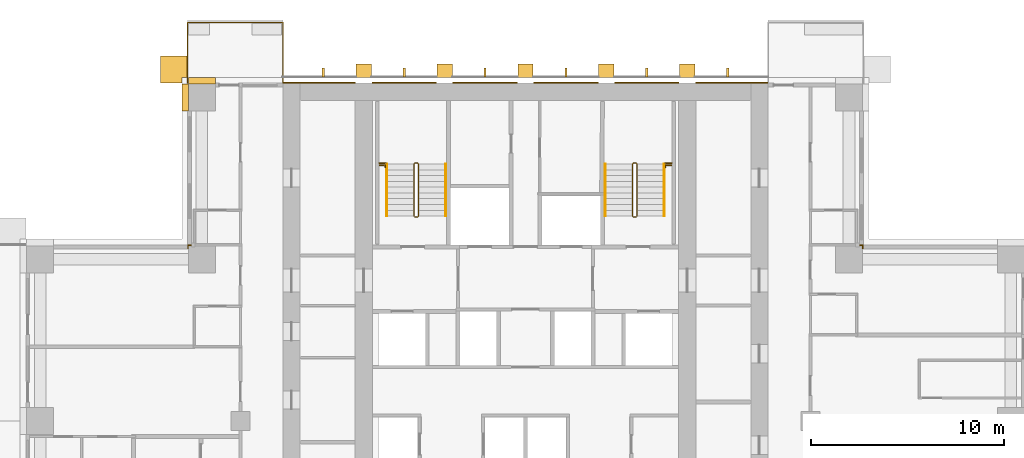
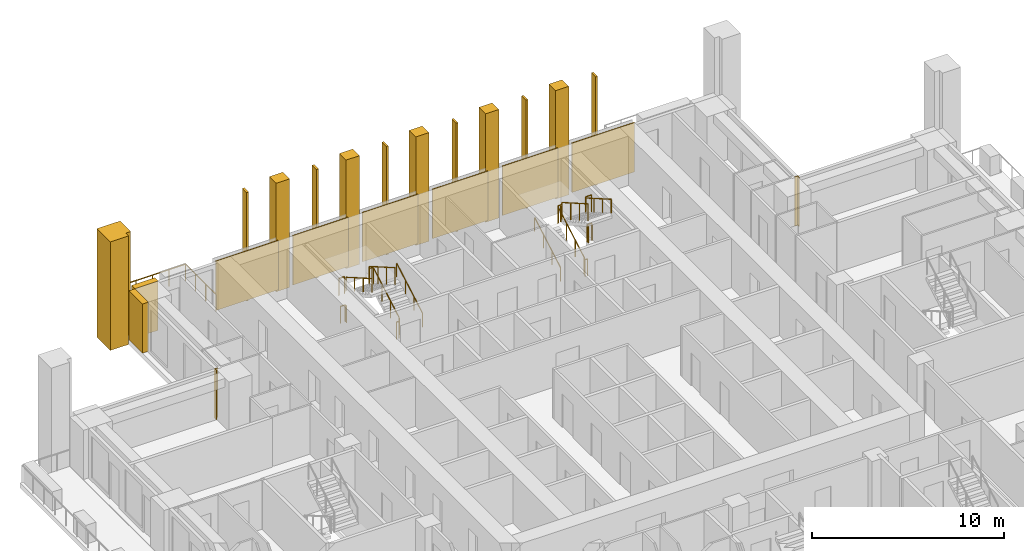
# One storey, part 17 of 18: 22 coverings, 11 railings.
"""IFC4 building model written with IfcOpenShell, lengths in metres."""

from ifc_helpers import new_model, si_unit, direction, frame, origin, origin_2d, place, context, subcontext, project, spatial, polyline, rectangle, outline, extrude, material, layer, layer_set, type_object, element, save


model = new_model("IFC4")

# Units and contexts
model_context = context("Model", 3, precision=1e-05, world=origin(), true_north=direction((0.0, 1.0)))
body_context = subcontext(model_context, "Body", "Model", "MODEL_VIEW")
ifc_project = project(units=[si_unit("LENGTHUNIT", "METRE"), si_unit("AREAUNIT", "SQUARE_METRE"), si_unit("VOLUMEUNIT", "CUBIC_METRE"), si_unit("PLANEANGLEUNIT", "RADIAN"), si_unit("MASSUNIT", "GRAM", prefix="KILO")], contexts=[model_context])

# Site, building, storey
site_placement = place(None, origin())
site = spatial("IfcSite", under=ifc_project, at=site_placement, CompositionType="ELEMENT")
building_placement = place(site_placement, origin())
building = spatial("IfcBuilding", under=site, at=building_placement, Name="Vermilion Ogive Tower", CompositionType="ELEMENT")
storey_placement = place(building_placement, frame((0.0, 0.0, 55.199951171875)))
storey = spatial("IfcBuildingStorey", under=building, at=storey_placement, Name="L12", CompositionType="ELEMENT", Elevation=55.199951171875)

# Railing
ifc_material_1 = material(Name="Stainless steel and glass", Category="steel")
railing_type_1 = type_object("IfcRailingType", Name="Balcony guard", PredefinedType="GUARDRAIL", material=ifc_material_1)
railing_1_placement = place(storey_placement, frame((-12.60009765625, 21.75, -0.0400390625)))
element("IfcRailing", 1, at=railing_1_placement, inside=storey, type_object=railing_type_1, Name="Guard N201", PredefinedType="GUARDRAIL", context=body_context, shape_type="SweptSolid", body=[
    extrude(rectangle(XDim=0.048095703125, YDim=0.048095703125, at=origin_2d()), frame((0.0, 0.0, 1.076171875), z_axis=(0.0, 1.0, 0.0), x_axis=(-1.0, 0.0, 0.0)), (0.0, 0.0, 1.0), 3.159912109375),
    extrude(rectangle(XDim=0.048095703125, YDim=0.048095703125, at=origin_2d()), frame((0.0, 3.159912109375, 1.076171875), z_axis=(-1.0, 0.0, 0.0), x_axis=(0.0, -1.0, 0.0)), (0.0, 0.0, 1.0), 4.949951171875),
    extrude(rectangle(XDim=0.048095703125, YDim=0.048095703125, at=origin_2d()), frame((-4.949951171875, 3.159912109375, 1.076171875), z_axis=(0.0, -1.0, 0.0), x_axis=(1.0, 0.0, 0.0)), (0.0, 0.0, 1.0), 3.159912109375),
    extrude(rectangle(XDim=0.0419921875, YDim=0.0419921875, at=origin_2d()), origin(), (0.0, 0.0, 1.0), 1.052001953125),
    extrude(rectangle(XDim=0.0419921875, YDim=0.0419921875, at=origin_2d()), frame((0.0, 1.05322265625, 0.0)), (0.0, 0.0, 1.0), 1.052001953125),
    extrude(rectangle(XDim=0.0419921875, YDim=0.0419921875, at=origin_2d()), frame((0.0, 2.106689453125, 0.0)), (0.0, 0.0, 1.0), 1.052001953125),
    extrude(rectangle(XDim=0.0419921875, YDim=0.0419921875, at=origin_2d()), frame((0.0, 3.159912109375, 0.0)), (0.0, 0.0, 1.0), 1.052001953125),
    extrude(rectangle(XDim=0.0419921875, YDim=0.0419921875, at=origin_2d()), frame((-0.989990234375, 3.159912109375, 0.0)), (0.0, 0.0, 1.0), 1.052001953125),
    extrude(rectangle(XDim=0.0419921875, YDim=0.0419921875, at=origin_2d()), frame((-1.97998046875, 3.159912109375, 0.0)), (0.0, 0.0, 1.0), 1.052001953125),
    extrude(rectangle(XDim=0.0419921875, YDim=0.0419921875, at=origin_2d()), frame((-2.969970703125, 3.159912109375, 0.0)), (0.0, 0.0, 1.0), 1.052001953125),
    extrude(rectangle(XDim=0.0419921875, YDim=0.0419921875, at=origin_2d()), frame((-3.9599609375, 3.159912109375, 0.0)), (0.0, 0.0, 1.0), 1.052001953125),
    extrude(rectangle(XDim=0.0419921875, YDim=0.0419921875, at=origin_2d()), frame((-4.949951171875, 3.159912109375, 0.0)), (0.0, 0.0, 1.0), 1.052001953125),
    extrude(rectangle(XDim=0.0419921875, YDim=0.0419921875, at=origin_2d()), frame((-4.949951171875, 2.106689453125, 0.0)), (0.0, 0.0, 1.0), 1.052001953125),
    extrude(rectangle(XDim=0.0419921875, YDim=0.0419921875, at=origin_2d()), frame((-4.949951171875, 1.05322265625, 0.0)), (0.0, 0.0, 1.0), 1.052001953125),
    extrude(rectangle(XDim=0.0419921875, YDim=0.0419921875, at=origin_2d()), frame((-4.949951171875, 0.0, 0.0)), (0.0, 0.0, 1.0), 1.052001953125),
])

# Coverings
ifc_material_2 = material(Name="Glazed ceramic screen")
ifc_layer = layer(ifc_material_2, 0.14990234375)
ifc_layer_set = layer_set([ifc_layer], Name="Ceramic solar screen fin")
covering_type_1 = type_object("IfcCoveringType", Name="Ceramic solar screen fin", PredefinedType="CLADDING", material=ifc_layer_set)
covering_1_placement = place(storey_placement, frame((0.0, 0.0, -0.320068359375)))
element("IfcCovering", 2, at=covering_1_placement, inside=storey, type_object=covering_type_1, Name="Solar screen blade N1", PredefinedType="CLADDING", context=body_context, shape_type="SweptSolid", body=[
    extrude(outline(polyline([(-10.56005859375, 22.08203125), (-10.43994140625, 22.08203125), (-10.43994140625, 22.531982421875), (-10.56005859375, 22.531982421875), (-10.56005859375, 22.08203125)])), origin(), (0.0, 0.0, 1.0), 6.900146484375),
])
covering_2_placement = place(storey_placement, frame((0.0, 0.0, -0.320068359375)))
element("IfcCovering", 3, at=covering_2_placement, inside=storey, type_object=covering_type_1, Name="Solar screen blade N2", PredefinedType="CLADDING", context=body_context, shape_type="SweptSolid", body=[
    extrude(outline(polyline([(-6.360107421875, 22.08203125), (-6.239990234375, 22.08203125), (-6.239990234375, 22.531982421875), (-6.360107421875, 22.531982421875), (-6.360107421875, 22.08203125)])), origin(), (0.0, 0.0, 1.0), 6.900146484375),
])
covering_3_placement = place(storey_placement, frame((0.0, 0.0, -0.320068359375)))
element("IfcCovering", 4, at=covering_3_placement, inside=storey, type_object=covering_type_1, Name="Solar screen blade N3", PredefinedType="CLADDING", context=body_context, shape_type="SweptSolid", body=[
    extrude(outline(polyline([(-2.159912109375, 22.08203125), (-2.0400390625, 22.08203125), (-2.0400390625, 22.531982421875), (-2.159912109375, 22.531982421875), (-2.159912109375, 22.08203125)])), origin(), (0.0, 0.0, 1.0), 6.900146484375),
])
covering_4_placement = place(storey_placement, frame((0.0, 0.0, -0.320068359375)))
element("IfcCovering", 5, at=covering_4_placement, inside=storey, type_object=covering_type_1, Name="Solar screen blade N4", PredefinedType="CLADDING", context=body_context, shape_type="SweptSolid", body=[
    extrude(outline(polyline([(2.0400390625, 22.08203125), (2.159912109375, 22.08203125), (2.159912109375, 22.531982421875), (2.0400390625, 22.531982421875), (2.0400390625, 22.08203125)])), origin(), (0.0, 0.0, 1.0), 6.900146484375),
])
covering_5_placement = place(storey_placement, frame((0.0, 0.0, -0.320068359375)))
element("IfcCovering", 6, at=covering_5_placement, inside=storey, type_object=covering_type_1, Name="Solar screen blade N5", PredefinedType="CLADDING", context=body_context, shape_type="SweptSolid", body=[
    extrude(outline(polyline([(6.239990234375, 22.08203125), (6.360107421875, 22.08203125), (6.360107421875, 22.531982421875), (6.239990234375, 22.531982421875), (6.239990234375, 22.08203125)])), origin(), (0.0, 0.0, 1.0), 6.900146484375),
])
covering_6_placement = place(storey_placement, frame((0.0, 0.0, -0.320068359375)))
element("IfcCovering", 7, at=covering_6_placement, inside=storey, type_object=covering_type_1, Name="Solar screen blade N6", PredefinedType="CLADDING", context=body_context, shape_type="SweptSolid", body=[
    extrude(outline(polyline([(10.43994140625, 22.08203125), (10.56005859375, 22.08203125), (10.56005859375, 22.531982421875), (10.43994140625, 22.531982421875), (10.43994140625, 22.08203125)])), origin(), (0.0, 0.0, 1.0), 6.900146484375),
])

# Railings
ifc_material_3 = material(Name="Steel S355 painted", Category="steel")
railing_type_2 = type_object("IfcRailingType", Name="Stair guard 1100", PredefinedType="GUARDRAIL", material=ifc_material_3)
railing_2_placement = place(storey_placement, frame((-5.75, 14.800048828125, 0.0)))
element("IfcRailing", 8, at=railing_2_placement, inside=storey, type_object=railing_type_2, Name="L12 ST1 stair guard 4", PredefinedType="GUARDRAIL", context=body_context, shape_type="SweptSolid", body=[
    extrude(rectangle(XDim=0.048095703125, YDim=0.048095703125, at=origin_2d()), frame((0.0, 0.0, 1.076171875), z_axis=(1.0, 0.0, 0.0), x_axis=(0.0, 1.0, 0.0)), (0.0, 0.0, 1.0), 0.14990234375),
    extrude(rectangle(XDim=0.048095703125, YDim=0.048095703125, at=origin_2d()), frame((0.14990234375, 0.0, 1.076171875), z_axis=(0.268277960024, 0.268277960024, 0.925231793839), x_axis=(-0.707106781187, 0.707106781187, 0.0)), (0.0, 0.0, 1.0), 0.1865234375),
    extrude(rectangle(XDim=0.048095703125, YDim=0.048095703125, at=origin_2d()), frame((0.199951171875, 0.050048828125, 1.24853515625), z_axis=(0.0, 0.866903762492, 0.498475542607), x_axis=(-1.0, 0.0, 0.0)), (0.0, 0.0, 1.0), 3.114501953125),
    extrude(rectangle(XDim=0.048095703125, YDim=0.048095703125, at=origin_2d()), frame((0.199951171875, 2.75, 2.80126953125), z_axis=(-0.707106781187, 0.707106781187, 0.0), x_axis=(-0.707106781187, -0.707106781187, 0.0)), (0.0, 0.0, 1.0), 0.07080078125),
    extrude(rectangle(XDim=0.048095703125, YDim=0.048095703125, at=origin_2d()), frame((0.14990234375, 2.800048828125, 2.80126953125), z_axis=(-1.0, 0.0, 0.0), x_axis=(0.0, -1.0, 0.0)), (0.0, 0.0, 1.0), 0.14990234375),
    extrude(rectangle(XDim=0.048095703125, YDim=0.048095703125, at=origin_2d()), frame((0.0, 2.800048828125, 2.80126953125), z_axis=(-0.268603158521, -0.268603158521, 0.925043072762), x_axis=(0.707106781187, -0.707106781187, 0.0)), (0.0, 0.0, 1.0), 0.186279296875),
    extrude(rectangle(XDim=0.048095703125, YDim=0.048095703125, at=origin_2d()), frame((-0.050048828125, 2.75, 2.9736328125), z_axis=(0.0, -0.866903762492, 0.498475542607), x_axis=(1.0, 0.0, 0.0)), (0.0, 0.0, 1.0), 3.114501953125),
    extrude(rectangle(XDim=0.0419921875, YDim=0.0419921875, at=origin_2d()), origin(), (0.0, 0.0, 1.0), 1.052001953125),
    extrude(rectangle(XDim=0.0419921875, YDim=0.0419921875, at=origin_2d()), frame((0.14990234375, 0.0, 0.0)), (0.0, 0.0, 1.0), 1.052001953125),
    extrude(rectangle(XDim=0.0419921875, YDim=0.0419921875, at=origin_2d()), frame((0.199951171875, 0.050048828125, 0.172607421875)), (0.0, 0.0, 1.0), 1.052001953125),
    extrude(rectangle(XDim=0.0419921875, YDim=0.0419921875, at=origin_2d()), frame((0.199951171875, 0.949951171875, 0.690185546875)), (0.0, 0.0, 1.0), 1.052001953125),
    extrude(rectangle(XDim=0.0419921875, YDim=0.0419921875, at=origin_2d()), frame((0.199951171875, 1.85009765625, 1.20751953125)), (0.0, 0.0, 1.0), 1.052001953125),
    extrude(rectangle(XDim=0.0419921875, YDim=0.0419921875, at=origin_2d()), frame((0.199951171875, 2.75, 1.72509765625)), (0.0, 0.0, 1.0), 1.052001953125),
    extrude(rectangle(XDim=0.0419921875, YDim=0.0419921875, at=origin_2d()), frame((0.14990234375, 2.800048828125, 1.72509765625)), (0.0, 0.0, 1.0), 1.052001953125),
    extrude(rectangle(XDim=0.0419921875, YDim=0.0419921875, at=origin_2d()), frame((0.0, 2.800048828125, 1.72509765625)), (0.0, 0.0, 1.0), 1.052001953125),
    extrude(rectangle(XDim=0.0419921875, YDim=0.0419921875, at=origin_2d()), frame((-0.050048828125, 2.75, 1.8974609375)), (0.0, 0.0, 1.0), 1.052001953125),
    extrude(rectangle(XDim=0.0419921875, YDim=0.0419921875, at=origin_2d()), frame((-0.050048828125, 1.85009765625, 2.4150390625)), (0.0, 0.0, 1.0), 1.052001953125),
    extrude(rectangle(XDim=0.0419921875, YDim=0.0419921875, at=origin_2d()), frame((-0.050048828125, 0.949951171875, 2.932373046875)), (0.0, 0.0, 1.0), 1.052001953125),
    extrude(rectangle(XDim=0.0419921875, YDim=0.0419921875, at=origin_2d()), frame((-0.050048828125, 0.050048828125, 3.449951171875)), (0.0, 0.0, 1.0), 1.052001953125),
])
railing_3_placement = place(storey_placement, frame((5.75, 14.800048828125, 0.0)))
element("IfcRailing", 9, at=railing_3_placement, inside=storey, type_object=railing_type_2, Name="L12 ST2 stair guard 4", PredefinedType="GUARDRAIL", context=body_context, shape_type="SweptSolid", body=[
    extrude(rectangle(XDim=0.048095703125, YDim=0.048095703125, at=origin_2d()), frame((0.0, 0.0, 1.076171875), z_axis=(-1.0, 0.0, 0.0), x_axis=(0.0, -1.0, 0.0)), (0.0, 0.0, 1.0), 0.14990234375),
    extrude(rectangle(XDim=0.048095703125, YDim=0.048095703125, at=origin_2d()), frame((-0.14990234375, 0.0, 1.076171875), z_axis=(-0.268277960024, 0.268277960024, 0.925231793839), x_axis=(-0.707106781187, -0.707106781187, 0.0)), (0.0, 0.0, 1.0), 0.1865234375),
    extrude(rectangle(XDim=0.048095703125, YDim=0.048095703125, at=origin_2d()), frame((-0.199951171875, 0.050048828125, 1.24853515625), z_axis=(0.0, 0.866903762492, 0.498475542607), x_axis=(-1.0, 0.0, 0.0)), (0.0, 0.0, 1.0), 3.114501953125),
    extrude(rectangle(XDim=0.048095703125, YDim=0.048095703125, at=origin_2d()), frame((-0.199951171875, 2.75, 2.80126953125), z_axis=(0.707106781187, 0.707106781187, 0.0), x_axis=(-0.707106781187, 0.707106781187, 0.0)), (0.0, 0.0, 1.0), 0.07080078125),
    extrude(rectangle(XDim=0.048095703125, YDim=0.048095703125, at=origin_2d()), frame((-0.14990234375, 2.800048828125, 2.80126953125), z_axis=(1.0, 0.0, 0.0), x_axis=(0.0, 1.0, 0.0)), (0.0, 0.0, 1.0), 0.14990234375),
    extrude(rectangle(XDim=0.048095703125, YDim=0.048095703125, at=origin_2d()), frame((0.0, 2.800048828125, 2.80126953125), z_axis=(0.268603158521, -0.268603158521, 0.925043072762), x_axis=(0.707106781187, 0.707106781187, 0.0)), (0.0, 0.0, 1.0), 0.186279296875),
    extrude(rectangle(XDim=0.048095703125, YDim=0.048095703125, at=origin_2d()), frame((0.050048828125, 2.75, 2.9736328125), z_axis=(0.0, -0.866903762492, 0.498475542607), x_axis=(1.0, 0.0, 0.0)), (0.0, 0.0, 1.0), 3.114501953125),
    extrude(rectangle(XDim=0.0419921875, YDim=0.0419921875, at=origin_2d()), origin(), (0.0, 0.0, 1.0), 1.052001953125),
    extrude(rectangle(XDim=0.0419921875, YDim=0.0419921875, at=origin_2d()), frame((-0.14990234375, 0.0, 0.0)), (0.0, 0.0, 1.0), 1.052001953125),
    extrude(rectangle(XDim=0.0419921875, YDim=0.0419921875, at=origin_2d()), frame((-0.199951171875, 0.050048828125, 0.172607421875)), (0.0, 0.0, 1.0), 1.052001953125),
    extrude(rectangle(XDim=0.0419921875, YDim=0.0419921875, at=origin_2d()), frame((-0.199951171875, 0.949951171875, 0.690185546875)), (0.0, 0.0, 1.0), 1.052001953125),
    extrude(rectangle(XDim=0.0419921875, YDim=0.0419921875, at=origin_2d()), frame((-0.199951171875, 1.85009765625, 1.20751953125)), (0.0, 0.0, 1.0), 1.052001953125),
    extrude(rectangle(XDim=0.0419921875, YDim=0.0419921875, at=origin_2d()), frame((-0.199951171875, 2.75, 1.72509765625)), (0.0, 0.0, 1.0), 1.052001953125),
    extrude(rectangle(XDim=0.0419921875, YDim=0.0419921875, at=origin_2d()), frame((-0.14990234375, 2.800048828125, 1.72509765625)), (0.0, 0.0, 1.0), 1.052001953125),
    extrude(rectangle(XDim=0.0419921875, YDim=0.0419921875, at=origin_2d()), frame((0.0, 2.800048828125, 1.72509765625)), (0.0, 0.0, 1.0), 1.052001953125),
    extrude(rectangle(XDim=0.0419921875, YDim=0.0419921875, at=origin_2d()), frame((0.050048828125, 2.75, 1.8974609375)), (0.0, 0.0, 1.0), 1.052001953125),
    extrude(rectangle(XDim=0.0419921875, YDim=0.0419921875, at=origin_2d()), frame((0.050048828125, 1.85009765625, 2.4150390625)), (0.0, 0.0, 1.0), 1.052001953125),
    extrude(rectangle(XDim=0.0419921875, YDim=0.0419921875, at=origin_2d()), frame((0.050048828125, 0.949951171875, 2.932373046875)), (0.0, 0.0, 1.0), 1.052001953125),
    extrude(rectangle(XDim=0.0419921875, YDim=0.0419921875, at=origin_2d()), frame((0.050048828125, 0.050048828125, 3.449951171875)), (0.0, 0.0, 1.0), 1.052001953125),
])
for number, where, name in (
    (10, (-7.60009765625, 17.60009765625, 1.72509765625), "L12 landing guard"),
    (11, (7.25, 17.60009765625, 1.72509765625), "L12 landing guard"),
):
    element("IfcRailing", number, at=place(storey_placement, frame(where)), inside=storey, type_object=railing_type_2, Name=name, PredefinedType="GUARDRAIL", context=body_context, shape_type="SweptSolid", body=[
        extrude(rectangle(XDim=0.048095703125, YDim=0.048095703125, at=origin_2d()), frame((0.0, 0.0, 1.076171875), z_axis=(1.0, 0.0, 0.0), x_axis=(0.0, 1.0, 0.0)), (0.0, 0.0, 1.0), 0.35009765625),
        extrude(rectangle(XDim=0.0419921875, YDim=0.0419921875, at=origin_2d()), origin(), (0.0, 0.0, 1.0), 1.052001953125),
        extrude(rectangle(XDim=0.0419921875, YDim=0.0419921875, at=origin_2d()), frame((0.35009765625, 0.0, 0.0)), (0.0, 0.0, 1.0), 1.052001953125),
    ])
railing_4_placement = place(storey_placement, frame((-7.56298828125, 17.49462890625, 0.0)))
element("IfcRailing", 12, at=railing_4_placement, inside=storey, type_object=railing_type_2, Name="L12 stair opening guard", PredefinedType="GUARDRAIL", context=body_context, shape_type="SweptSolid", body=[
    extrude(rectangle(XDim=0.048095703125, YDim=0.048095703125, at=origin_2d()), frame((0.0, 0.0, 1.076171875), z_axis=(1.0, 0.0, 0.0), x_axis=(0.0, 1.0, 0.0)), (0.0, 0.0, 1.0), 0.2900390625),
    extrude(rectangle(XDim=0.048095703125, YDim=0.048095703125, at=origin_2d()), frame((0.2900390625, 0.0, 1.076171875), z_axis=(0.0, -1.0, 0.0), x_axis=(1.0, 0.0, 0.0)), (0.0, 0.0, 1.0), 0.1201171875),
    extrude(rectangle(XDim=0.0419921875, YDim=0.0419921875, at=origin_2d()), origin(), (0.0, 0.0, 1.0), 1.052001953125),
    extrude(rectangle(XDim=0.0419921875, YDim=0.0419921875, at=origin_2d()), frame((0.2900390625, 0.0, 0.0)), (0.0, 0.0, 1.0), 1.052001953125),
    extrude(rectangle(XDim=0.0419921875, YDim=0.0419921875, at=origin_2d()), frame((0.2900390625, -0.1201171875, 0.0)), (0.0, 0.0, 1.0), 1.052001953125),
])
railing_5_placement = place(storey_placement, frame((7.27294921875, 17.37451171875, 0.0)))
element("IfcRailing", 13, at=railing_5_placement, inside=storey, type_object=railing_type_2, Name="L12 stair opening guard", PredefinedType="GUARDRAIL", context=body_context, shape_type="SweptSolid", body=[
    extrude(rectangle(XDim=0.048095703125, YDim=0.048095703125, at=origin_2d()), frame((0.0, 0.0, 1.076171875), z_axis=(0.0, 1.0, 0.0), x_axis=(-1.0, 0.0, 0.0)), (0.0, 0.0, 1.0), 0.1201171875),
    extrude(rectangle(XDim=0.048095703125, YDim=0.048095703125, at=origin_2d()), frame((0.0, 0.1201171875, 1.076171875), z_axis=(1.0, 0.0, 0.0), x_axis=(0.0, 1.0, 0.0)), (0.0, 0.0, 1.0), 0.2900390625),
    extrude(rectangle(XDim=0.0419921875, YDim=0.0419921875, at=origin_2d()), origin(), (0.0, 0.0, 1.0), 1.052001953125),
    extrude(rectangle(XDim=0.0419921875, YDim=0.0419921875, at=origin_2d()), frame((0.0, 0.1201171875, 0.0)), (0.0, 0.0, 1.0), 1.052001953125),
    extrude(rectangle(XDim=0.0419921875, YDim=0.0419921875, at=origin_2d()), frame((0.2900390625, 0.1201171875, 0.0)), (0.0, 0.0, 1.0), 1.052001953125),
])
ifc_material_4 = material(Name="Stainless steel", Category="steel")
railing_type_3 = type_object("IfcRailingType", Name="Stair handrail 900", PredefinedType="HANDRAIL", material=ifc_material_4)
railing_6_placement = place(storey_placement, frame((-4.14990234375, 14.85009765625, 0.172607421875)))
element("IfcRailing", 14, at=railing_6_placement, inside=storey, type_object=railing_type_3, Name="L12 ST1 stair handrail 1", PredefinedType="HANDRAIL", context=body_context, shape_type="SweptSolid", body=[
    extrude(rectangle(XDim=0.048095703125, YDim=0.048095703125, at=origin_2d()), frame((0.0, 0.0, 0.8759765625), z_axis=(0.0, 0.866903762492, 0.498475542607), x_axis=(-1.0, 0.0, 0.0)), (0.0, 0.0, 1.0), 3.114501953125),
    extrude(rectangle(XDim=0.0419921875, YDim=0.0419921875, at=origin_2d()), origin(), (0.0, 0.0, 1.0), 0.851806640625),
    extrude(rectangle(XDim=0.0419921875, YDim=0.0419921875, at=origin_2d()), frame((0.0, 0.89990234375, 0.517578125)), (0.0, 0.0, 1.0), 0.851806640625),
    extrude(rectangle(XDim=0.0419921875, YDim=0.0419921875, at=origin_2d()), frame((0.0, 1.800048828125, 1.034912109375)), (0.0, 0.0, 1.0), 0.851806640625),
    extrude(rectangle(XDim=0.0419921875, YDim=0.0419921875, at=origin_2d()), frame((0.0, 2.699951171875, 1.552490234375)), (0.0, 0.0, 1.0), 0.851806640625),
])
railing_7_placement = place(storey_placement, frame((-7.199951171875, 17.550048828125, 1.8974609375)))
element("IfcRailing", 15, at=railing_7_placement, inside=storey, type_object=railing_type_3, Name="L12 ST1 stair handrail 2", PredefinedType="HANDRAIL", context=body_context, shape_type="SweptSolid", body=[
    extrude(rectangle(XDim=0.048095703125, YDim=0.048095703125, at=origin_2d()), frame((0.0, 0.0, 0.8759765625), z_axis=(0.0, -0.866903762492, 0.498475542607), x_axis=(1.0, 0.0, 0.0)), (0.0, 0.0, 1.0), 3.114501953125),
    extrude(rectangle(XDim=0.0419921875, YDim=0.0419921875, at=origin_2d()), origin(), (0.0, 0.0, 1.0), 0.851806640625),
    extrude(rectangle(XDim=0.0419921875, YDim=0.0419921875, at=origin_2d()), frame((0.0, -0.89990234375, 0.517578125)), (0.0, 0.0, 1.0), 0.851806640625),
    extrude(rectangle(XDim=0.0419921875, YDim=0.0419921875, at=origin_2d()), frame((0.0, -1.800048828125, 1.034912109375)), (0.0, 0.0, 1.0), 0.851806640625),
    extrude(rectangle(XDim=0.0419921875, YDim=0.0419921875, at=origin_2d()), frame((0.0, -2.699951171875, 1.552490234375)), (0.0, 0.0, 1.0), 0.851806640625),
])
railing_8_placement = place(storey_placement, frame((4.14990234375, 14.85009765625, 0.172607421875)))
element("IfcRailing", 16, at=railing_8_placement, inside=storey, type_object=railing_type_3, Name="L12 ST2 stair handrail 1", PredefinedType="HANDRAIL", context=body_context, shape_type="SweptSolid", body=[
    extrude(rectangle(XDim=0.048095703125, YDim=0.048095703125, at=origin_2d()), frame((0.0, 0.0, 0.8759765625), z_axis=(0.0, 0.866903762492, 0.498475542607), x_axis=(-1.0, 0.0, 0.0)), (0.0, 0.0, 1.0), 3.114501953125),
    extrude(rectangle(XDim=0.0419921875, YDim=0.0419921875, at=origin_2d()), origin(), (0.0, 0.0, 1.0), 0.851806640625),
    extrude(rectangle(XDim=0.0419921875, YDim=0.0419921875, at=origin_2d()), frame((0.0, 0.89990234375, 0.517578125)), (0.0, 0.0, 1.0), 0.851806640625),
    extrude(rectangle(XDim=0.0419921875, YDim=0.0419921875, at=origin_2d()), frame((0.0, 1.800048828125, 1.034912109375)), (0.0, 0.0, 1.0), 0.851806640625),
    extrude(rectangle(XDim=0.0419921875, YDim=0.0419921875, at=origin_2d()), frame((0.0, 2.699951171875, 1.552490234375)), (0.0, 0.0, 1.0), 0.851806640625),
])
railing_9_placement = place(storey_placement, frame((7.199951171875, 17.550048828125, 1.8974609375)))
element("IfcRailing", 17, at=railing_9_placement, inside=storey, type_object=railing_type_3, Name="L12 ST2 stair handrail 2", PredefinedType="HANDRAIL", context=body_context, shape_type="SweptSolid", body=[
    extrude(rectangle(XDim=0.048095703125, YDim=0.048095703125, at=origin_2d()), frame((0.0, 0.0, 0.8759765625), z_axis=(0.0, -0.866903762492, 0.498475542607), x_axis=(1.0, 0.0, 0.0)), (0.0, 0.0, 1.0), 3.114501953125),
    extrude(rectangle(XDim=0.0419921875, YDim=0.0419921875, at=origin_2d()), origin(), (0.0, 0.0, 1.0), 0.851806640625),
    extrude(rectangle(XDim=0.0419921875, YDim=0.0419921875, at=origin_2d()), frame((0.0, -0.89990234375, 0.517578125)), (0.0, 0.0, 1.0), 0.851806640625),
    extrude(rectangle(XDim=0.0419921875, YDim=0.0419921875, at=origin_2d()), frame((0.0, -1.800048828125, 1.034912109375)), (0.0, 0.0, 1.0), 0.851806640625),
    extrude(rectangle(XDim=0.0419921875, YDim=0.0419921875, at=origin_2d()), frame((0.0, -2.699951171875, 1.552490234375)), (0.0, 0.0, 1.0), 0.851806640625),
])

# Coverings
ifc_material_5 = material(Name="Stone cladding", Category="masonry")
covering_type_2 = type_object("IfcCoveringType", Name="Stone buttress pier", PredefinedType="CLADDING", material=ifc_material_5)
covering_7_placement = place(storey_placement, frame((0.0, 0.0, -0.320068359375)))
element("IfcCovering", 18, at=covering_7_placement, inside=storey, type_object=covering_type_2, Name="Stone buttress pier N1", PredefinedType="CLADDING", context=body_context, shape_type="SweptSolid", body=[
    extrude(outline(polyline([(-8.0, 22.75), (-8.0, 22.050048828125), (-8.800048828125, 22.050048828125), (-8.800048828125, 22.75), (-8.0, 22.75)])), origin(), (0.0, 0.0, 1.0), 6.900146484375),
])
covering_8_placement = place(storey_placement, frame((0.0, 0.0, -0.320068359375)))
element("IfcCovering", 19, at=covering_8_placement, inside=storey, type_object=covering_type_2, Name="Stone buttress pier N2", PredefinedType="CLADDING", context=body_context, shape_type="SweptSolid", body=[
    extrude(outline(polyline([(-3.800048828125, 22.75), (-3.800048828125, 22.050048828125), (-4.60009765625, 22.050048828125), (-4.60009765625, 22.75), (-3.800048828125, 22.75)])), origin(), (0.0, 0.0, 1.0), 6.900146484375),
])
covering_9_placement = place(storey_placement, frame((0.0, 0.0, -0.320068359375)))
element("IfcCovering", 20, at=covering_9_placement, inside=storey, type_object=covering_type_2, Name="Stone buttress pier N3", PredefinedType="CLADDING", context=body_context, shape_type="SweptSolid", body=[
    extrude(outline(polyline([(0.39990234375, 22.75), (0.39990234375, 22.050048828125), (-0.39990234375, 22.050048828125), (-0.39990234375, 22.75), (0.39990234375, 22.75)])), origin(), (0.0, 0.0, 1.0), 6.900146484375),
])
covering_10_placement = place(storey_placement, frame((0.0, 0.0, -0.320068359375)))
element("IfcCovering", 21, at=covering_10_placement, inside=storey, type_object=covering_type_2, Name="Stone buttress pier N4", PredefinedType="CLADDING", context=body_context, shape_type="SweptSolid", body=[
    extrude(outline(polyline([(4.60009765625, 22.75), (4.60009765625, 22.050048828125), (3.800048828125, 22.050048828125), (3.800048828125, 22.75), (4.60009765625, 22.75)])), origin(), (0.0, 0.0, 1.0), 6.900146484375),
])
covering_11_placement = place(storey_placement, frame((0.0, 0.0, -0.320068359375)))
element("IfcCovering", 22, at=covering_11_placement, inside=storey, type_object=covering_type_2, Name="Stone buttress pier N5", PredefinedType="CLADDING", context=body_context, shape_type="SweptSolid", body=[
    extrude(outline(polyline([(8.800048828125, 22.75), (8.800048828125, 22.050048828125), (8.0, 22.050048828125), (8.0, 22.75), (8.800048828125, 22.75)])), origin(), (0.0, 0.0, 1.0), 6.900146484375),
])
ifc_material_6 = material(Name="Stone cladding", Category="masonry")
covering_type_3 = type_object("IfcCoveringType", Name="Stone cladding panel", PredefinedType="CLADDING", material=ifc_material_6)
covering_12_placement = place(storey_placement, origin())
element("IfcCovering", 23, at=covering_12_placement, inside=storey, type_object=covering_type_3, Name="Stone cladding panel N1", PredefinedType="CLADDING", context=body_context, shape_type="SweptSolid", body=[
    extrude(outline(polyline([(-12.590087890625, 21.75), (-8.830078125, 21.75), (-8.830078125, 21.81005859375), (-12.590087890625, 21.81005859375), (-12.590087890625, 21.75)])), origin(), (0.0, 0.0, 1.0), 3.130126953125),
])
covering_13_placement = place(storey_placement, origin())
element("IfcCovering", 24, at=covering_13_placement, inside=storey, type_object=covering_type_3, Name="Stone cladding panel N2", PredefinedType="CLADDING", context=body_context, shape_type="SweptSolid", body=[
    extrude(outline(polyline([(-7.969970703125, 21.75), (-4.6298828125, 21.75), (-4.6298828125, 21.81005859375), (-7.969970703125, 21.81005859375), (-7.969970703125, 21.75)])), origin(), (0.0, 0.0, 1.0), 3.130126953125),
])
covering_14_placement = place(storey_placement, origin())
element("IfcCovering", 25, at=covering_14_placement, inside=storey, type_object=covering_type_3, Name="Stone cladding panel N3", PredefinedType="CLADDING", context=body_context, shape_type="SweptSolid", body=[
    extrude(outline(polyline([(-3.77001953125, 21.75), (-0.429931640625, 21.75), (-0.429931640625, 21.81005859375), (-3.77001953125, 21.81005859375), (-3.77001953125, 21.75)])), origin(), (0.0, 0.0, 1.0), 3.130126953125),
])
covering_15_placement = place(storey_placement, origin())
element("IfcCovering", 26, at=covering_15_placement, inside=storey, type_object=covering_type_3, Name="Stone cladding panel N4", PredefinedType="CLADDING", context=body_context, shape_type="SweptSolid", body=[
    extrude(outline(polyline([(0.429931640625, 21.75), (3.77001953125, 21.75), (3.77001953125, 21.81005859375), (0.429931640625, 21.81005859375), (0.429931640625, 21.75)])), origin(), (0.0, 0.0, 1.0), 3.130126953125),
])
covering_16_placement = place(storey_placement, origin())
element("IfcCovering", 27, at=covering_16_placement, inside=storey, type_object=covering_type_3, Name="Stone cladding panel N5", PredefinedType="CLADDING", context=body_context, shape_type="SweptSolid", body=[
    extrude(outline(polyline([(4.6298828125, 21.75), (7.969970703125, 21.75), (7.969970703125, 21.81005859375), (4.6298828125, 21.81005859375), (4.6298828125, 21.75)])), origin(), (0.0, 0.0, 1.0), 3.130126953125),
])
covering_17_placement = place(storey_placement, origin())
element("IfcCovering", 28, at=covering_17_placement, inside=storey, type_object=covering_type_3, Name="Stone cladding panel N6", PredefinedType="CLADDING", context=body_context, shape_type="SweptSolid", body=[
    extrude(outline(polyline([(8.830078125, 21.75), (12.590087890625, 21.75), (12.590087890625, 21.81005859375), (8.830078125, 21.81005859375), (8.830078125, 21.75)])), origin(), (0.0, 0.0, 1.0), 3.130126953125),
])
ifc_material_7 = material(Name="Stone cladding", Category="masonry")
covering_type_4 = type_object("IfcCoveringType", Name="Stone corner buttress", PredefinedType="CLADDING", material=ifc_material_7)
covering_18_placement = place(storey_placement, frame((0.0, 0.0, -0.320068359375)))
element("IfcCovering", 29, at=covering_18_placement, inside=storey, type_object=covering_type_4, Name="Stone corner buttress X51", PredefinedType="CLADDING", context=body_context, shape_type="SweptSolid", body=[
    extrude(outline(polyline([(-17.550048828125, 23.14990234375), (-17.550048828125, 22.050048828125), (-17.85009765625, 22.050048828125), (-17.85009765625, 21.75), (-18.949951171875, 21.75), (-18.949951171875, 23.14990234375), (-17.550048828125, 23.14990234375)])), origin(), (0.0, 0.0, 1.0), 6.900146484375),
])
ifc_material_8 = material(Name="Stone cladding", Category="masonry")
covering_type_5 = type_object("IfcCoveringType", Name="Stone pier", PredefinedType="CLADDING", material=ifc_material_8)
covering_19_placement = place(storey_placement, origin())
element("IfcCovering", 30, at=covering_19_placement, inside=storey, type_object=covering_type_5, Name="Stone corner pier X3E1", PredefinedType="CLADDING", context=body_context, shape_type="SweptSolid", body=[
    extrude(outline(polyline([(17.5, 13.14990234375), (17.5, 13.300048828125), (17.35009765625, 13.300048828125), (17.35009765625, 13.35009765625), (17.550048828125, 13.35009765625), (17.550048828125, 13.14990234375), (17.5, 13.14990234375)])), origin(), (0.0, 0.0, 1.0), 3.130126953125),
])
covering_20_placement = place(storey_placement, origin())
element("IfcCovering", 31, at=covering_20_placement, inside=storey, type_object=covering_type_5, Name="Stone corner pier X5E1", PredefinedType="CLADDING", context=body_context, shape_type="SweptSolid", body=[
    extrude(outline(polyline([(-17.35009765625, 13.300048828125), (-17.5, 13.300048828125), (-17.5, 13.14990234375), (-17.550048828125, 13.14990234375), (-17.550048828125, 13.35009765625), (-17.35009765625, 13.35009765625), (-17.35009765625, 13.300048828125)])), origin(), (0.0, 0.0, 1.0), 3.130126953125),
])
covering_21_placement = place(storey_placement, origin())
element("IfcCovering", 32, at=covering_21_placement, inside=storey, type_object=covering_type_5, Name="Stone pier P-0168+210N2", PredefinedType="CLADDING", context=body_context, shape_type="SweptSolid", body=[
    extrude(outline(polyline([(-17.5, 21.699951171875), (-17.5, 22.050048828125), (-16.10009765625, 22.050048828125), (-16.10009765625, 21.699951171875), (-17.5, 21.699951171875), (-17.5, 21.699951171875)])), origin(), (0.0, 0.0, 1.0), 3.130126953125),
])
covering_22_placement = place(storey_placement, origin())
element("IfcCovering", 33, at=covering_22_placement, inside=storey, type_object=covering_type_5, Name="Stone pier P-0168+210X5", PredefinedType="CLADDING", context=body_context, shape_type="SweptSolid", body=[
    extrude(outline(polyline([(-17.85009765625, 21.699951171875), (-17.5, 21.699951171875), (-17.5, 21.699951171875), (-17.5, 20.300048828125), (-17.85009765625, 20.300048828125), (-17.85009765625, 21.699951171875)])), origin(), (0.0, 0.0, 1.0), 3.130126953125),
])

save(model, "model.ifc")
